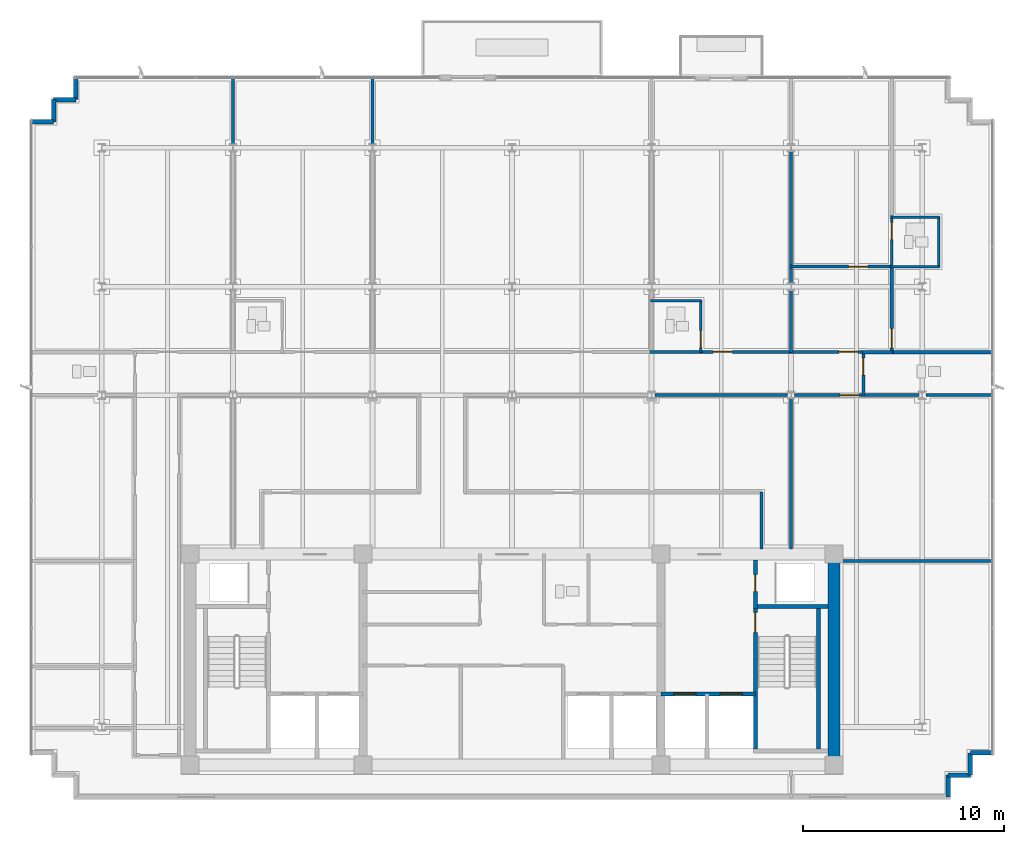
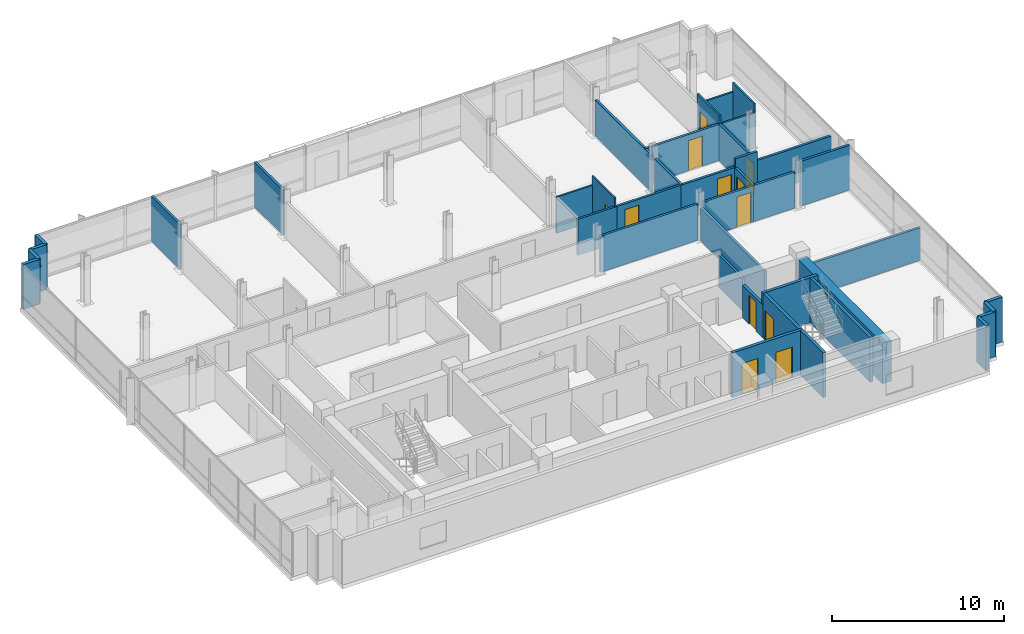
# One storey, part 13 of 19: 39 walls, 12 doors, 12 openings.
"""IFC4 building model written with IfcOpenShell, lengths in metres."""

from ifc_helpers import new_model, si_unit, direction, frame, frame_2d, origin, place, context, subcontext, project, spatial, rectangle, extrude, material, layer, layer_set, type_object, element, fill, save


model = new_model("IFC4")

# Units and contexts
model_context = context("Model", 3, precision=1e-05, world=origin(), true_north=direction((0.0, 1.0)))
body_context = subcontext(model_context, "Body", "Model", "MODEL_VIEW")
ifc_project = project(units=[si_unit("LENGTHUNIT", "METRE"), si_unit("AREAUNIT", "SQUARE_METRE"), si_unit("VOLUMEUNIT", "CUBIC_METRE"), si_unit("PLANEANGLEUNIT", "RADIAN"), si_unit("MASSUNIT", "GRAM", prefix="KILO")], contexts=[model_context])

# Site, building, storey
site_placement = place(None, origin())
site = spatial("IfcSite", under=ifc_project, at=site_placement, CompositionType="ELEMENT")
building_placement = place(site_placement, origin())
building = spatial("IfcBuilding", under=site, at=building_placement, Name="Solmavex Isthmus Hotel", CompositionType="ELEMENT")
storey_placement = place(building_placement, frame((0.0, 0.0, 262.64990234375)))
storey = spatial("IfcBuildingStorey", under=building, at=storey_placement, Name="L71", CompositionType="ELEMENT", Elevation=262.64990234375)

# Walls
ifc_material_1 = material(Name="Precast Concrete C40/50", Category="concrete")
ifc_layer_1 = layer(ifc_material_1, 0.25)
ifc_layer_set_1 = layer_set([ifc_layer_1], Name="Precast Concrete C40/50")
wall_type_1 = type_object("IfcWallType", Name="EW-TWR-250", PredefinedType="STANDARD", material=ifc_layer_set_1)
wall_1_placement = place(storey_placement, frame((-23.889892578125, 18.989990234375, 0.0), z_axis=(0.0, 0.0, 1.0), x_axis=(1.0, 0.0, 0.0)))
element("IfcWall", 1, at=wall_1_placement, inside=storey, type_object=wall_type_1, Name="Serrated Corner Facade Panel L71-06", PredefinedType="STANDARD", context=body_context, shape_type="SweptSolid", body=[
    extrude(rectangle(XDim=1.099853515625, YDim=0.219970703125, at=frame_2d((0.5498046875, 0.0))), origin(), (0.0, 0.0, 1.0), 3.190185546875),
])
for number, where, z_axis, x_axis, name in (
    (2, (-22.7900390625, 18.989990234375, 0.0), (0.0, 0.0, 1.0), (0.0, 1.0, 0.0), "Serrated Corner Facade Panel L71-07"),
    (3, (-22.7900390625, 20.090087890625, 0.0), (0.0, 0.0, 1.0), (1.0, 0.0, 0.0), "Serrated Corner Facade Panel L71-08"),
):
    element("IfcWall", number, at=place(storey_placement, frame(where, z_axis=z_axis, x_axis=x_axis)), inside=storey, type_object=wall_type_1, Name=name, PredefinedType="STANDARD", context=body_context, shape_type="SweptSolid", body=[
        extrude(rectangle(XDim=1.10009765625, YDim=0.219970703125, at=frame_2d((0.550048828125, 0.0))), origin(), (0.0, 0.0, 1.0), 3.190185546875),
    ])
for number, where, z_axis, x_axis, name in (
    (4, (-21.68994140625, 20.090087890625, 0.0), (0.0, 0.0, 1.0), (0.0, 1.0, 0.0), "Serrated Corner Facade Panel L71-09"),
    (5, (23.889892578125, -12.389892578125, 0.0), (0.0, 0.0, 1.0), (-1.0, 0.0, 0.0), "Serrated Corner Facade Panel L71-16"),
):
    element("IfcWall", number, at=place(storey_placement, frame(where, z_axis=z_axis, x_axis=x_axis)), inside=storey, type_object=wall_type_1, Name=name, PredefinedType="STANDARD", context=body_context, shape_type="SweptSolid", body=[
        extrude(rectangle(XDim=1.099853515625, YDim=0.219970703125, at=frame_2d((0.5498046875, 0.0))), origin(), (0.0, 0.0, 1.0), 3.190185546875),
    ])
for number, where, z_axis, x_axis, name in (
    (6, (22.7900390625, -12.389892578125, 0.0), (0.0, 0.0, 1.0), (0.0, -1.0, 0.0), "Serrated Corner Facade Panel L71-17"),
    (7, (22.7900390625, -13.489990234375, 0.0), (0.0, 0.0, 1.0), (-1.0, 0.0, 0.0), "Serrated Corner Facade Panel L71-18"),
    (8, (21.68994140625, -13.489990234375, 0.0), (0.0, 0.0, 1.0), (0.0, -1.0, 0.0), "Serrated Corner Facade Panel L71-19"),
):
    element("IfcWall", number, at=place(storey_placement, frame(where, z_axis=z_axis, x_axis=x_axis)), inside=storey, type_object=wall_type_1, Name=name, PredefinedType="STANDARD", context=body_context, shape_type="SweptSolid", body=[
        extrude(rectangle(XDim=1.10009765625, YDim=0.219970703125, at=frame_2d((0.550048828125, 0.0))), origin(), (0.0, 0.0, 1.0), 3.190185546875),
    ])
ifc_material_2 = material(Name="Gypsum plasterboard lining", Category="gypsum")
ifc_layer_2 = layer(ifc_material_2, 0.159912109375)
ifc_layer_set_2 = layer_set([ifc_layer_2], Name="Gypsum plasterboard lining")
wall_type_2 = type_object("IfcWallType", Name="IW-COMP-160", PredefinedType="PARTITIONING", material=ifc_layer_set_2)
for number, where, z_axis, x_axis, name in (
    (9, (-13.8720703125, 21.219970703125, 0.0), (0.0, 0.0, 1.0), (0.0, -1.0, 0.0), "Interior Partition Wall W-L71-P035"),
    (10, (-6.93603515625, 21.219970703125, 0.0), (0.0, 0.0, 1.0), (0.0, -1.0, 0.0), "Interior Partition Wall W-L71-P041"),
):
    element("IfcWall", number, at=place(storey_placement, frame(where, z_axis=z_axis, x_axis=x_axis)), inside=storey, type_object=wall_type_2, Name=name, PredefinedType="PARTITIONING", context=body_context, shape_type="SweptSolid", body=[
        extrude(rectangle(XDim=3.344970703125, YDim=0.159912109375, at=frame_2d((1.67236328125, 0.0))), origin(), (0.0, 0.0, 1.0), 3.190185546875),
    ])
wall_2_placement = place(storey_placement, frame((13.8720703125, 10.613037109375, 0.0), z_axis=(0.0, 0.0, 1.0), x_axis=(0.0, -1.0, 0.0)))
element("IfcWall", 11, at=wall_2_placement, inside=storey, type_object=wall_type_2, Name="Interior Partition Wall W-L71-P047", PredefinedType="PARTITIONING", context=body_context, shape_type="SweptSolid", body=[
    extrude(rectangle(XDim=3.10302734375, YDim=0.159912109375, at=frame_2d((1.551513671875, 0.0))), origin(), (0.0, 0.0, 1.0), 2.572509765625),
])
wall_3_placement = place(storey_placement, frame((13.8720703125, 17.52490234375, 0.0), z_axis=(0.0, 0.0, 1.0), x_axis=(0.0, -1.0, 0.0)))
element("IfcWall", 12, at=wall_3_placement, inside=storey, type_object=wall_type_2, Name="Interior Partition Wall W-L71-P048", PredefinedType="PARTITIONING", context=body_context, shape_type="SweptSolid", body=[
    extrude(rectangle(XDim=6.56201171875, YDim=0.159912109375, at=frame_2d((3.281005859375, 0.0))), origin(), (0.0, 0.0, 1.0), 2.572509765625),
])

# Wall, opening, door
wall_4_placement = place(storey_placement, frame((13.83203125, 11.7880859375, 0.0), z_axis=(0.0, 0.0, 1.0), x_axis=(1.0, 0.0, 0.0)))
wall_4 = element("IfcWall", 13, at=wall_4_placement, inside=storey, type_object=wall_type_2, Name="Interior Partition Wall W-L71-P050", PredefinedType="PARTITIONING", context=body_context, shape_type="SweptSolid", body=[
    extrude(rectangle(XDim=5.083984375, YDim=0.159912109375, at=frame_2d((2.5419921875, 0.0))), origin(), (0.0, 0.0, 1.0), 2.572509765625),
])
opening_1_placement = place(wall_4_placement, frame((2.90771484375, 0.0, 0.0)))
opening_1 = element("IfcOpeningElement", 14, at=opening_1_placement, cuts=wall_4, Name="Opening ID-C095", PredefinedType="OPENING", context=body_context, shape_type="SweptSolid", body=[
    extrude(rectangle(XDim=0.949951171875, YDim=2.14990234375, at=frame_2d((0.47509765625, 1.074951171875))), frame((0.0, 0.08984375, 0.0), z_axis=(0.0, -1.0, 0.0), x_axis=(1.0, 0.0, 0.0)), (0.0, 0.0, 1.0), 0.179931640625),
])
ifc_material_3 = material(Name="Hardwood timber", Category="wood")
door_type_1 = type_object("IfcDoorType", Name="IDR-FD60-0950", OperationType="NOTDEFINED", PredefinedType="DOOR", material=ifc_material_3)
door_1_placement = place(opening_1_placement, origin())
door_1 = element("IfcDoor", 15, at=door_1_placement, inside=storey, type_object=door_type_1, Name="Premier Hospitality Suite Master Bedroom Door L71-08", OperationType="SINGLE_SWING_RIGHT", OverallHeight=2.14990234375, OverallWidth=0.949951171875, PredefinedType="DOOR", context=body_context, shape_type="SweptSolid", body=[
    extrude(rectangle(XDim=0.949951171875, YDim=2.14990234375, at=frame_2d((0.47509765625, 1.074951171875))), frame((0.0, 0.02490234375, 0.0), z_axis=(0.0, -1.0, 0.0), x_axis=(1.0, 0.0, 0.0)), (0.0, 0.0, 1.0), 0.050048828125),
])
fill(opening_1, door_1)

wall_5_placement = place(storey_placement, frame((18.8759765625, 11.827880859375, 0.0), z_axis=(0.0, 0.0, 1.0), x_axis=(0.0, -1.0, 0.0)))
wall_5 = element("IfcWall", 16, at=wall_5_placement, inside=storey, type_object=wall_type_2, Name="Interior Partition Wall W-L71-P051", PredefinedType="PARTITIONING", context=body_context, shape_type="SweptSolid", body=[
    extrude(rectangle(XDim=4.337890625, YDim=0.159912109375, at=frame_2d((2.1689453125, 0.0))), origin(), (0.0, 0.0, 1.0), 2.572509765625),
])
opening_2_placement = place(wall_5_placement, frame((3.124755859375, 0.0, 0.0)))
opening_2 = element("IfcOpeningElement", 17, at=opening_2_placement, cuts=wall_5, Name="Opening ID-C095", PredefinedType="OPENING", context=body_context, shape_type="SweptSolid", body=[
    extrude(rectangle(XDim=0.949951171875, YDim=2.14990234375, at=frame_2d((0.47509765625, 1.074951171875))), frame((0.0, 0.08984375, 0.0), z_axis=(0.0, -1.0, 0.0), x_axis=(1.0, 0.0, 0.0)), (0.0, 0.0, 1.0), 0.179931640625),
])
door_2_placement = place(opening_2_placement, frame((0.949951171875, 0.0, 0.0), z_axis=(0.0, 0.0, 1.0), x_axis=(-1.0, 0.0, 0.0)))
door_2 = element("IfcDoor", 18, at=door_2_placement, inside=storey, type_object=door_type_1, Name="Premier Hospitality Suite Living Lounge Door L71-09", OperationType="SINGLE_SWING_LEFT", OverallHeight=2.14990234375, OverallWidth=0.949951171875, PredefinedType="DOOR", context=body_context, shape_type="SweptSolid", body=[
    extrude(rectangle(XDim=0.949951171875, YDim=2.14990234375, at=frame_2d((0.47509765625, 1.074951171875))), frame((0.0, 0.02490234375, 0.0), z_axis=(0.0, -1.0, 0.0), x_axis=(1.0, 0.0, 0.0)), (0.0, 0.0, 1.0), 0.050048828125),
])
fill(opening_2, door_2)

# Walls
wall_6_placement = place(storey_placement, frame((18.916015625, 7.530029296875, 0.0), z_axis=(0.0, 0.0, 1.0), x_axis=(-1.0, 0.0, 0.0)))
element("IfcWall", 19, at=wall_6_placement, inside=storey, type_object=wall_type_2, Name="Interior Partition Wall W-L71-P052", PredefinedType="PARTITIONING", context=body_context, shape_type="SweptSolid", body=[
    extrude(rectangle(XDim=1.484130859375, YDim=0.159912109375, at=frame_2d((0.7421875, 0.0))), origin(), (0.0, 0.0, 1.0), 3.190185546875),
])
wall_7_placement = place(storey_placement, frame((23.919921875, 7.530029296875, 0.0), z_axis=(0.0, 0.0, 1.0), x_axis=(-1.0, 0.0, 0.0)))
element("IfcWall", 20, at=wall_7_placement, inside=storey, type_object=wall_type_2, Name="Interior Partition Wall W-L71-P058", PredefinedType="PARTITIONING", context=body_context, shape_type="SweptSolid", body=[
    extrude(rectangle(XDim=5.083984375, YDim=0.159912109375, at=frame_2d((2.5419921875, 0.0))), origin(), (0.0, 0.0, 1.0), 2.5576171875),
])
wall_8_placement = place(storey_placement, frame((20.22509765625, 5.39990234375, 0.0), z_axis=(0.0, 0.0, 1.0), x_axis=(-1.0, 0.0, 0.0)))
element("IfcWall", 21, at=wall_8_placement, inside=storey, type_object=wall_type_2, Name="Interior Partition Wall W-L71-P061", PredefinedType="PARTITIONING", context=body_context, shape_type="SweptSolid", body=[
    extrude(rectangle(XDim=2.793212890625, YDim=0.159912109375, at=frame_2d((1.396484375, 0.0))), origin(), (0.0, 0.0, 1.0), 2.572509765625),
])
wall_9_placement = place(storey_placement, frame((23.919921875, 5.39990234375, 0.0), z_axis=(0.0, 0.0, 1.0), x_axis=(-1.0, 0.0, 0.0)))
element("IfcWall", 22, at=wall_9_placement, inside=storey, type_object=wall_type_2, Name="Interior Partition Wall W-L71-P062", PredefinedType="PARTITIONING", context=body_context, shape_type="SweptSolid", body=[
    extrude(rectangle(XDim=3.344970703125, YDim=0.159912109375, at=frame_2d((1.67236328125, 0.0))), origin(), (0.0, 0.0, 1.0), 3.190185546875),
])
wall_10_placement = place(storey_placement, frame((13.8720703125, -2.239990234375, 0.0), z_axis=(0.0, 0.0, 1.0), x_axis=(0.0, 1.0, 0.0)))
element("IfcWall", 23, at=wall_10_placement, inside=storey, type_object=wall_type_2, Name="Interior Partition Wall W-L71-P069", PredefinedType="PARTITIONING", context=body_context, shape_type="SweptSolid", body=[
    extrude(rectangle(XDim=7.465087890625, YDim=0.159912109375, at=frame_2d((3.732421875, 0.0))), origin(), (0.0, 0.0, 1.0), 2.3251953125),
])
wall_11_placement = place(storey_placement, frame((23.919921875, -2.85009765625, 0.0), z_axis=(0.0, 0.0, 1.0), x_axis=(-1.0, 0.0, 0.0)))
element("IfcWall", 24, at=wall_11_placement, inside=storey, type_object=wall_type_2, Name="Interior Partition Wall W-L71-P070", PredefinedType="PARTITIONING", context=body_context, shape_type="SweptSolid", body=[
    extrude(rectangle(XDim=7.659912109375, YDim=0.159912109375, at=frame_2d((3.830078125, 0.0))), origin(), (0.0, 0.0, 1.0), 2.3251953125),
])

# Wall, opening, door
ifc_layer_3 = layer(ifc_material_2, 0.14990234375)
ifc_layer_set_3 = layer_set([ifc_layer_3], Name="Gypsum plasterboard lining")
wall_type_3 = type_object("IfcWallType", Name="IW-CORR-150", PredefinedType="PARTITIONING", material=ifc_layer_set_3)
wall_12_placement = place(storey_placement, frame((9.303955078125, 7.550048828125, 0.0), z_axis=(0.0, 0.0, 1.0), x_axis=(1.0, 0.0, 0.0)))
wall_12 = element("IfcWall", 25, at=wall_12_placement, inside=storey, type_object=wall_type_3, Name="Interior Partition Wall W-L71-P005", PredefinedType="PARTITIONING", context=body_context, shape_type="SweptSolid", body=[
    extrude(rectangle(XDim=4.650146484375, YDim=0.14990234375, at=frame_2d((2.3251953125, 0.0))), origin(), (0.0, 0.0, 1.0), 2.572509765625),
])
opening_3_placement = place(wall_12_placement, frame((0.698486328125, 0.0, 0.0)))
opening_3 = element("IfcOpeningElement", 26, at=opening_3_placement, cuts=wall_12, Name="Opening ID-C095", PredefinedType="OPENING", context=body_context, shape_type="SweptSolid", body=[
    extrude(rectangle(XDim=0.949951171875, YDim=2.14990234375, at=frame_2d((0.47509765625, 1.074951171875))), frame((0.0, 0.0849609375, 0.0), z_axis=(0.0, -1.0, 0.0), x_axis=(1.0, 0.0, 0.0)), (0.0, 0.0, 1.0), 0.169921875),
])
door_3_placement = place(opening_3_placement, origin())
door_3 = element("IfcDoor", 27, at=door_3_placement, inside=storey, type_object=door_type_1, Name="Diplomatic Suite Door L71-05", OperationType="SINGLE_SWING_LEFT", OverallHeight=2.14990234375, OverallWidth=0.949951171875, PredefinedType="DOOR", context=body_context, shape_type="SweptSolid", body=[
    extrude(rectangle(XDim=0.949951171875, YDim=2.14990234375, at=frame_2d((0.47509765625, 1.074951171875))), frame((0.0, 0.02490234375, 0.0), z_axis=(0.0, -1.0, 0.0), x_axis=(1.0, 0.0, 0.0)), (0.0, 0.0, 1.0), 0.050048828125),
])
fill(opening_3, door_3)

# Wall
wall_13_placement = place(storey_placement, frame((6.85400390625, 7.550048828125, 0.0), z_axis=(0.0, 0.0, 1.0), x_axis=(1.0, 0.0, 0.0)))
element("IfcWall", 28, at=wall_13_placement, inside=storey, type_object=wall_type_3, Name="Interior Partition Wall W-L71-P006", PredefinedType="PARTITIONING", context=body_context, shape_type="SweptSolid", body=[
    extrude(rectangle(XDim=2.614013671875, YDim=0.14990234375, at=frame_2d((1.30712890625, 0.0))), origin(), (0.0, 0.0, 1.0), 2.572509765625),
])

# Wall, opening, door
wall_14_placement = place(storey_placement, frame((13.7900390625, 7.550048828125, 0.0), z_axis=(0.0, 0.0, 1.0), x_axis=(1.0, 0.0, 0.0)))
wall_14 = element("IfcWall", 29, at=wall_14_placement, inside=storey, type_object=wall_type_3, Name="Interior Partition Wall W-L71-P007", PredefinedType="PARTITIONING", context=body_context, shape_type="SweptSolid", body=[
    extrude(rectangle(XDim=3.721923828125, YDim=0.14990234375, at=frame_2d((1.86083984375, 0.0))), origin(), (0.0, 0.0, 1.0), 2.572509765625),
])
opening_4_placement = place(wall_14_placement, frame((2.456787109375, 0.0, 0.0)))
opening_4 = element("IfcOpeningElement", 30, at=opening_4_placement, cuts=wall_14, Name="Opening ID-C095", PredefinedType="OPENING", context=body_context, shape_type="SweptSolid", body=[
    extrude(rectangle(XDim=0.949951171875, YDim=2.14990234375, at=frame_2d((0.47509765625, 1.074951171875))), frame((0.0, 0.0849609375, 0.0), z_axis=(0.0, -1.0, 0.0), x_axis=(1.0, 0.0, 0.0)), (0.0, 0.0, 1.0), 0.169921875),
])
door_4_placement = place(opening_4_placement, origin())
door_4 = element("IfcDoor", 31, at=door_4_placement, inside=storey, type_object=door_type_1, Name="Premier Hospitality Suite Entrance Hall Door L71-07", OperationType="SINGLE_SWING_LEFT", OverallHeight=2.14990234375, OverallWidth=0.949951171875, PredefinedType="DOOR", context=body_context, shape_type="SweptSolid", body=[
    extrude(rectangle(XDim=0.949951171875, YDim=2.14990234375, at=frame_2d((0.47509765625, 1.074951171875))), frame((0.0, 0.02490234375, 0.0), z_axis=(0.0, -1.0, 0.0), x_axis=(1.0, 0.0, 0.0)), (0.0, 0.0, 1.0), 0.050048828125),
])
fill(opening_4, door_4)

wall_15_placement = place(storey_placement, frame((17.471923828125, 7.570068359375, 0.0), z_axis=(0.0, 0.0, 1.0), x_axis=(0.0, -1.0, 0.0)))
wall_15 = element("IfcWall", 32, at=wall_15_placement, inside=storey, type_object=wall_type_3, Name="Interior Partition Wall W-L71-P009", PredefinedType="PARTITIONING", context=body_context, shape_type="SweptSolid", body=[
    extrude(rectangle(XDim=2.2099609375, YDim=0.14990234375, at=frame_2d((1.10498046875, 0.0))), origin(), (0.0, 0.0, 1.0), 2.572509765625),
])
opening_5_placement = place(wall_15_placement, frame((0.322265625, 0.0, 0.0)))
opening_5 = element("IfcOpeningElement", 33, at=opening_5_placement, cuts=wall_15, Name="Opening ID-R085", PredefinedType="OPENING", context=body_context, shape_type="SweptSolid", body=[
    extrude(rectangle(XDim=0.85009765625, YDim=2.050048828125, at=frame_2d((0.425048828125, 1.02490234375))), frame((0.0, 0.0849609375, 0.0), z_axis=(0.0, -1.0, 0.0), x_axis=(1.0, 0.0, 0.0)), (0.0, 0.0, 1.0), 0.169921875),
])
ifc_material_4 = material(Name="Steel ASTM A500 Grade C", Category="steel")
door_type_2 = type_object("IfcDoorType", Name="IDR-FD60-0850", OperationType="NOTDEFINED", PredefinedType="DOOR", material=ifc_material_4)
door_5_placement = place(opening_5_placement, frame((0.85009765625, 0.0, 0.0), z_axis=(0.0, 0.0, 1.0), x_axis=(-1.0, 0.0, 0.0)))
door_5 = element("IfcDoor", 34, at=door_5_placement, inside=storey, type_object=door_type_2, Name="Public Restroom WC Door L71-12", OperationType="SINGLE_SWING_RIGHT", OverallHeight=2.050048828125, OverallWidth=0.85009765625, PredefinedType="DOOR", context=body_context, shape_type="SweptSolid", body=[
    extrude(rectangle(XDim=0.85009765625, YDim=2.050048828125, at=frame_2d((0.425048828125, 1.02490234375))), frame((0.0, 0.02490234375, 0.0), z_axis=(0.0, -1.0, 0.0), x_axis=(1.0, 0.0, 0.0)), (0.0, 0.0, 1.0), 0.050048828125),
])
fill(opening_5, door_5)

wall_16_placement = place(storey_placement, frame((17.511962890625, 5.39990234375, 0.0), z_axis=(0.0, 0.0, 1.0), x_axis=(-1.0, 0.0, 0.0)))
wall_16 = element("IfcWall", 35, at=wall_16_placement, inside=storey, type_object=wall_type_3, Name="Interior Partition Wall W-L71-P024", PredefinedType="PARTITIONING", context=body_context, shape_type="SweptSolid", body=[
    extrude(rectangle(XDim=3.46484375, YDim=0.14990234375, at=frame_2d((1.732421875, 0.0))), origin(), (0.0, 0.0, 1.0), 2.572509765625),
])
opening_6_placement = place(wall_16_placement, frame((0.26220703125, 0.0, 0.0)))
opening_6 = element("IfcOpeningElement", 36, at=opening_6_placement, cuts=wall_16, Name="Opening ID-C095", PredefinedType="OPENING", context=body_context, shape_type="SweptSolid", body=[
    extrude(rectangle(XDim=0.949951171875, YDim=2.14990234375, at=frame_2d((0.47509765625, 1.074951171875))), frame((0.0, 0.0849609375, 0.0), z_axis=(0.0, -1.0, 0.0), x_axis=(1.0, 0.0, 0.0)), (0.0, 0.0, 1.0), 0.169921875),
])
door_6_placement = place(opening_6_placement, origin())
door_6 = element("IfcDoor", 37, at=door_6_placement, inside=storey, type_object=door_type_1, Name="Catering Servery Kitchen Door L71-19", OperationType="SINGLE_SWING_LEFT", OverallHeight=2.14990234375, OverallWidth=0.949951171875, PredefinedType="DOOR", context=body_context, shape_type="SweptSolid", body=[
    extrude(rectangle(XDim=0.949951171875, YDim=2.14990234375, at=frame_2d((0.47509765625, 1.074951171875))), frame((0.0, 0.02490234375, 0.0), z_axis=(0.0, -1.0, 0.0), x_axis=(1.0, 0.0, 0.0)), (0.0, 0.0, 1.0), 0.050048828125),
])
fill(opening_6, door_6)

# Walls
wall_17_placement = place(storey_placement, frame((13.697021484375, 5.39990234375, 0.0), z_axis=(0.0, 0.0, 1.0), x_axis=(-1.0, 0.0, 0.0)))
element("IfcWall", 38, at=wall_17_placement, inside=storey, type_object=wall_type_3, Name="Interior Partition Wall W-L71-P025", PredefinedType="PARTITIONING", context=body_context, shape_type="SweptSolid", body=[
    extrude(rectangle(XDim=6.5859375, YDim=0.14990234375, at=frame_2d((3.29296875, 0.0))), origin(), (0.0, 0.0, 1.0), 2.572509765625),
])
wall_18_placement = place(storey_placement, frame((12.39990234375, 0.590087890625, 0.0), z_axis=(0.0, 0.0, 1.0), x_axis=(0.0, -1.0, 0.0)))
element("IfcWall", 39, at=wall_18_placement, inside=storey, type_object=wall_type_3, Name="Interior Partition Wall W-L71-P032", PredefinedType="PARTITIONING", context=body_context, shape_type="SweptSolid", body=[
    extrude(rectangle(XDim=2.830078125, YDim=0.14990234375, at=frame_2d((1.4150390625, 0.0))), origin(), (0.0, 0.0, 1.0), 2.3251953125),
])

# Wall, opening, door
ifc_layer_4 = layer(ifc_material_2, 0.1201171875)
ifc_layer_set_4 = layer_set([ifc_layer_4], Name="Gypsum plasterboard lining")
wall_type_4 = type_object("IfcWallType", Name="IW-PART-120", PredefinedType="PARTITIONING", material=ifc_layer_set_4)
wall_19_placement = place(storey_placement, frame((9.385986328125, 7.510009765625, 0.0), z_axis=(0.0, 0.0, 1.0), x_axis=(0.0, 1.0, 0.0)))
wall_19 = element("IfcWall", 40, at=wall_19_placement, inside=storey, type_object=wall_type_4, Name="Interior Partition Wall W-L71-P045", PredefinedType="PARTITIONING", context=body_context, shape_type="SweptSolid", body=[
    extrude(rectangle(XDim=2.6298828125, YDim=0.1201171875, at=frame_2d((1.31494140625, 0.0))), origin(), (0.0, 0.0, 1.0), 3.190185546875),
])
opening_7_placement = place(wall_19_placement, frame((0.247314453125, 0.0, 0.0)))
opening_7 = element("IfcOpeningElement", 41, at=opening_7_placement, cuts=wall_19, Name="Opening ID-U085", PredefinedType="OPENING", context=body_context, shape_type="SweptSolid", body=[
    extrude(rectangle(XDim=0.85009765625, YDim=2.10009765625, at=frame_2d((0.425048828125, 1.050048828125))), frame((0.0, 0.070068359375, 0.0), z_axis=(0.0, -1.0, 0.0), x_axis=(1.0, 0.0, 0.0)), (0.0, 0.0, 1.0), 0.14013671875),
])
door_type_3 = type_object("IfcDoorType", Name="IDR-UNR-0850", OperationType="NOTDEFINED", PredefinedType="DOOR", material=ifc_material_3)
door_7_placement = place(opening_7_placement, frame((0.85009765625, 0.0, 0.0), z_axis=(0.0, 0.0, 1.0), x_axis=(-1.0, 0.0, 0.0)))
door_7 = element("IfcDoor", 42, at=door_7_placement, inside=storey, type_object=door_type_3, Name="En-suite Bathroom Door L71-06", OperationType="SINGLE_SWING_RIGHT", OverallHeight=2.10009765625, OverallWidth=0.85009765625, PredefinedType="DOOR", context=body_context, shape_type="SweptSolid", body=[
    extrude(rectangle(XDim=0.85009765625, YDim=2.10009765625, at=frame_2d((0.425048828125, 1.050048828125))), frame((0.0, 0.02490234375, 0.0), z_axis=(0.0, -1.0, 0.0), x_axis=(1.0, 0.0, 0.0)), (0.0, 0.0, 1.0), 0.050048828125),
])
fill(opening_7, door_7)

# Wall
wall_20_placement = place(storey_placement, frame((9.426025390625, 10.10009765625, 0.0), z_axis=(0.0, 0.0, 1.0), x_axis=(-1.0, 0.0, 0.0)))
element("IfcWall", 43, at=wall_20_placement, inside=storey, type_object=wall_type_4, Name="Interior Partition Wall W-L71-P046", PredefinedType="PARTITIONING", context=body_context, shape_type="SweptSolid", body=[
    extrude(rectangle(XDim=2.530029296875, YDim=0.1201171875, at=frame_2d((1.26513671875, 0.0))), origin(), (0.0, 0.0, 1.0), 2.572509765625),
])

# Wall, opening, door
wall_21_placement = place(storey_placement, frame((18.8759765625, 14.320068359375, 0.0), z_axis=(0.0, 0.0, 1.0), x_axis=(0.0, -1.0, 0.0)))
wall_21 = element("IfcWall", 44, at=wall_21_placement, inside=storey, type_object=wall_type_4, Name="Interior Partition Wall W-L71-P054", PredefinedType="PARTITIONING", context=body_context, shape_type="SweptSolid", body=[
    extrude(rectangle(XDim=2.572021484375, YDim=0.1201171875, at=frame_2d((1.2861328125, 0.0))), origin(), (0.0, 0.0, 1.0), 3.190185546875),
])
opening_8_placement = place(wall_21_placement, frame((0.337646484375, 0.0, 0.0)))
opening_8 = element("IfcOpeningElement", 45, at=opening_8_placement, cuts=wall_21, Name="Opening ID-U085", PredefinedType="OPENING", context=body_context, shape_type="SweptSolid", body=[
    extrude(rectangle(XDim=0.85009765625, YDim=2.10009765625, at=frame_2d((0.425048828125, 1.050048828125))), frame((0.0, 0.070068359375, 0.0), z_axis=(0.0, -1.0, 0.0), x_axis=(1.0, 0.0, 0.0)), (0.0, 0.0, 1.0), 0.14013671875),
])
door_8_placement = place(opening_8_placement, frame((0.85009765625, 0.0, 0.0), z_axis=(0.0, 0.0, 1.0), x_axis=(-1.0, 0.0, 0.0)))
door_8 = element("IfcDoor", 46, at=door_8_placement, inside=storey, type_object=door_type_3, Name="En-suite Bathroom Door L71-10", OperationType="SINGLE_SWING_RIGHT", OverallHeight=2.10009765625, OverallWidth=0.85009765625, PredefinedType="DOOR", context=body_context, shape_type="SweptSolid", body=[
    extrude(rectangle(XDim=0.85009765625, YDim=2.10009765625, at=frame_2d((0.425048828125, 1.050048828125))), frame((0.0, 0.02490234375, 0.0), z_axis=(0.0, -1.0, 0.0), x_axis=(1.0, 0.0, 0.0)), (0.0, 0.0, 1.0), 0.050048828125),
])
fill(opening_8, door_8)

# Walls
wall_22_placement = place(storey_placement, frame((18.8359375, 11.7880859375, 0.0), z_axis=(0.0, 0.0, 1.0), x_axis=(1.0, 0.0, 0.0)))
element("IfcWall", 47, at=wall_22_placement, inside=storey, type_object=wall_type_4, Name="Interior Partition Wall W-L71-P055", PredefinedType="PARTITIONING", context=body_context, shape_type="SweptSolid", body=[
    extrude(rectangle(XDim=2.43017578125, YDim=0.1201171875, at=frame_2d((1.215087890625, 0.0))), origin(), (0.0, 0.0, 1.0), 2.5576171875),
])
wall_23_placement = place(storey_placement, frame((21.22607421875, 11.748046875, 0.0), z_axis=(0.0, 0.0, 1.0), x_axis=(0.0, 1.0, 0.0)))
element("IfcWall", 48, at=wall_23_placement, inside=storey, type_object=wall_type_4, Name="Interior Partition Wall W-L71-P056", PredefinedType="PARTITIONING", context=body_context, shape_type="SweptSolid", body=[
    extrude(rectangle(XDim=2.530029296875, YDim=0.1201171875, at=frame_2d((1.26513671875, 0.0))), origin(), (0.0, 0.0, 1.0), 3.190185546875),
])
wall_24_placement = place(storey_placement, frame((21.26611328125, 14.238037109375, 0.0), z_axis=(0.0, 0.0, 1.0), x_axis=(-1.0, 0.0, 0.0)))
element("IfcWall", 49, at=wall_24_placement, inside=storey, type_object=wall_type_4, Name="Interior Partition Wall W-L71-P057", PredefinedType="PARTITIONING", context=body_context, shape_type="SweptSolid", body=[
    extrude(rectangle(XDim=2.43017578125, YDim=0.1201171875, at=frame_2d((1.215087890625, 0.0))), origin(), (0.0, 0.0, 1.0), 2.5576171875),
])

# Wall, opening, door
ifc_material_5 = material(Name="Concrete C40/50", Category="concrete")
ifc_layer_5 = layer(ifc_material_5, 0.199951171875)
ifc_layer_set_5 = layer_set([ifc_layer_5], Name="Concrete C40/50")
wall_type_5 = type_object("IfcWallType", Name="IW-SHAFT-200", PredefinedType="PARTITIONING", material=ifc_layer_set_5)
wall_25_placement = place(storey_placement, frame((12.10009765625, -5.199951171875, 0.0), z_axis=(0.0, 0.0, 1.0), x_axis=(0.0, 1.0, 0.0)))
wall_25 = element("IfcWall", 50, at=wall_25_placement, inside=storey, type_object=wall_type_5, Name="Interior Partition Wall W-L71-RSE-W", PredefinedType="PARTITIONING", context=body_context, shape_type="SweptSolid", body=[
    extrude(rectangle(XDim=2.39990234375, YDim=0.199951171875, at=frame_2d((1.199951171875, 0.0))), origin(), (0.0, 0.0, 1.0), 2.3251953125),
])
opening_9_placement = place(wall_25_placement, frame((0.824951171875, 0.0, 0.0)))
opening_9 = element("IfcOpeningElement", 51, at=opening_9_placement, cuts=wall_25, Name="Opening ID-R085", PredefinedType="OPENING", context=body_context, shape_type="SweptSolid", body=[
    extrude(rectangle(XDim=0.85009765625, YDim=2.050048828125, at=frame_2d((0.425048828125, 1.02490234375))), frame((0.0, 0.10986328125, 0.0), z_axis=(0.0, -1.0, 0.0), x_axis=(1.0, 0.0, 0.0)), (0.0, 0.0, 1.0), 0.219970703125),
])
door_9_placement = place(opening_9_placement, frame((0.85009765625, 0.0, 0.0), z_axis=(0.0, 0.0, 1.0), x_axis=(-1.0, 0.0, 0.0)))
door_9 = element("IfcDoor", 52, at=door_9_placement, inside=storey, type_object=door_type_2, Name="Mechanical Riser Door L71", OperationType="SINGLE_SWING_LEFT", OverallHeight=2.050048828125, OverallWidth=0.85009765625, PredefinedType="DOOR", context=body_context, shape_type="SweptSolid", body=[
    extrude(rectangle(XDim=0.85009765625, YDim=2.050048828125, at=frame_2d((0.425048828125, 1.02490234375))), frame((0.0, 0.02490234375, 0.0), z_axis=(0.0, -1.0, 0.0), x_axis=(1.0, 0.0, 0.0)), (0.0, 0.0, 1.0), 0.050048828125),
])
fill(opening_9, door_9)

# Wall, openings, doors
wall_26_placement = place(storey_placement, frame((7.39990234375, -9.449951171875, 0.0), z_axis=(0.0, 0.0, 1.0), x_axis=(1.0, 0.0, 0.0)))
wall_26 = element("IfcWall", 53, at=wall_26_placement, inside=storey, type_object=wall_type_5, Name="Interior Partition Wall W-L71-FFLE-S", PredefinedType="PARTITIONING", context=body_context, shape_type="SweptSolid", body=[
    extrude(rectangle(XDim=4.7001953125, YDim=0.199951171875, at=frame_2d((2.35009765625, 0.0))), origin(), (0.0, 0.0, 1.0), 3.190185546875),
])
opening_10_placement = place(wall_26_placement, frame((2.949951171875, 0.0, 0.0)))
opening_10 = element("IfcOpeningElement", 54, at=opening_10_placement, cuts=wall_26, Name="Opening LD-FF", PredefinedType="OPENING", context=body_context, shape_type="SweptSolid", body=[
    extrude(rectangle(XDim=1.10009765625, YDim=2.199951171875, at=frame_2d((0.550048828125, 1.10009765625))), frame((0.0, 0.10986328125, 0.0), z_axis=(0.0, -1.0, 0.0), x_axis=(1.0, 0.0, 0.0)), (0.0, 0.0, 1.0), 0.219970703125),
])
opening_11_placement = place(wall_26_placement, frame((0.64990234375, 0.0, 0.0)))
opening_11 = element("IfcOpeningElement", 55, at=opening_11_placement, cuts=wall_26, Name="Opening LD-SV", PredefinedType="OPENING", context=body_context, shape_type="SweptSolid", body=[
    extrude(rectangle(XDim=1.10009765625, YDim=2.199951171875, at=frame_2d((0.550048828125, 1.10009765625))), frame((0.0, 0.10986328125, 0.0), z_axis=(0.0, -1.0, 0.0), x_axis=(1.0, 0.0, 0.0)), (0.0, 0.0, 1.0), 0.219970703125),
])
ifc_material_6 = material(Name="Stainless steel 316", Category="steel")
door_type_4 = type_object("IfcDoorType", Name="LDR-FF-1100", OperationType="NOTDEFINED", PredefinedType="DOOR", material=ifc_material_6)
door_10_placement = place(opening_10_placement, origin())
door_10 = element("IfcDoor", 56, at=door_10_placement, inside=storey, type_object=door_type_4, Name="Lift Landing Door FFL-2 L71", OperationType="SLIDING_TO_LEFT", OverallHeight=2.199951171875, OverallWidth=1.10009765625, PredefinedType="DOOR", context=body_context, shape_type="SweptSolid", body=[
    extrude(rectangle(XDim=1.10009765625, YDim=2.199951171875, at=frame_2d((0.550048828125, 1.10009765625))), frame((0.0, 0.02490234375, 0.0), z_axis=(0.0, -1.0, 0.0), x_axis=(1.0, 0.0, 0.0)), (0.0, 0.0, 1.0), 0.050048828125),
])
fill(opening_10, door_10)
door_type_5 = type_object("IfcDoorType", Name="LDR-SV-1100", OperationType="NOTDEFINED", PredefinedType="DOOR", material=ifc_material_6)
door_11_placement = place(opening_11_placement, origin())
door_11 = element("IfcDoor", 57, at=door_11_placement, inside=storey, type_object=door_type_5, Name="Lift Landing Door SVL-2 L71", OperationType="SLIDING_TO_RIGHT", OverallHeight=2.199951171875, OverallWidth=1.10009765625, PredefinedType="DOOR", context=body_context, shape_type="SweptSolid", body=[
    extrude(rectangle(XDim=1.10009765625, YDim=2.199951171875, at=frame_2d((0.550048828125, 1.10009765625))), frame((0.0, 0.02490234375, 0.0), z_axis=(0.0, -1.0, 0.0), x_axis=(1.0, 0.0, 0.0)), (0.0, 0.0, 1.0), 0.050048828125),
])
fill(opening_11, door_11)

# Walls
ifc_material_7 = material(Name="Concrete C50/60", Category="concrete")
ifc_layer_6 = layer(ifc_material_7, 0.60009765625)
ifc_layer_set_6 = layer_set([ifc_layer_6], Name="Concrete C50/60")
wall_type_6 = type_object("IfcWallType", Name="WALL-CW-600", PredefinedType="SHEAR", material=ifc_layer_set_6)
wall_27_placement = place(storey_placement, frame((16.0, -12.699951171875, 0.0), z_axis=(0.0, 0.0, 1.0), x_axis=(0.0, 1.0, 0.0)))
element("IfcWall", 58, at=wall_27_placement, inside=storey, type_object=wall_type_6, Name="Core Shear Wall East L71", PredefinedType="SHEAR", context=body_context, shape_type="SweptSolid", body=[
    extrude(rectangle(XDim=9.89990234375, YDim=0.60009765625, at=frame_2d((4.949951171875, 0.0))), origin(), (0.0, 0.0, 1.0), 2.91015625),
])
ifc_layer_7 = layer(ifc_material_5, 0.199951171875)
ifc_layer_set_7 = layer_set([ifc_layer_7], Name="Concrete C40/50")
wall_type_7 = type_object("IfcWallType", Name="WALL-SW-200", PredefinedType="SOLIDWALL", material=ifc_layer_set_7)
wall_28_placement = place(storey_placement, frame((12.0, -5.10009765625, 0.0), z_axis=(0.0, 0.0, 1.0), x_axis=(1.0, 0.0, 0.0)))
element("IfcWall", 59, at=wall_28_placement, inside=storey, type_object=wall_type_7, Name="Stairwell Structural Wall SW-L71-ST2-N", PredefinedType="SOLIDWALL", context=body_context, shape_type="SweptSolid", body=[
    extrude(rectangle(XDim=3.699951171875, YDim=0.199951171875, at=frame_2d((1.85009765625, 0.0))), origin(), (0.0, 0.0, 1.0), 3.190185546875),
])

# Wall, opening, door
wall_29_placement = place(storey_placement, frame((12.10009765625, -12.199951171875, 0.0), z_axis=(0.0, 0.0, 1.0), x_axis=(0.0, 1.0, 0.0)))
wall_29 = element("IfcWall", 60, at=wall_29_placement, inside=storey, type_object=wall_type_7, Name="Stairwell Structural Wall SW-L71-ST2-W", PredefinedType="SOLIDWALL", context=body_context, shape_type="SweptSolid", body=[
    extrude(rectangle(XDim=7.0, YDim=0.199951171875, at=frame_2d((3.5, 0.0))), origin(), (0.0, 0.0, 1.0), 3.190185546875),
])
opening_12_placement = place(wall_29_placement, frame((5.800048828125, 0.0, 0.0)))
opening_12 = element("IfcOpeningElement", 61, at=opening_12_placement, cuts=wall_29, Name="Opening ID-F100", PredefinedType="OPENING", context=body_context, shape_type="SweptSolid", body=[
    extrude(rectangle(XDim=1.0, YDim=2.10009765625, at=frame_2d((0.5, 1.050048828125))), frame((0.0, 0.10986328125, 0.0), z_axis=(0.0, -1.0, 0.0), x_axis=(1.0, 0.0, 0.0)), (0.0, 0.0, 1.0), 0.219970703125),
])
door_type_6 = type_object("IfcDoorType", Name="IDR-FD90-1000", OperationType="NOTDEFINED", PredefinedType="DOOR", material=ifc_material_4)
door_12_placement = place(opening_12_placement, origin())
door_12 = element("IfcDoor", 62, at=door_12_placement, inside=storey, type_object=door_type_6, Name="Stair ST-2 Fire Door L71", OperationType="SINGLE_SWING_RIGHT", OverallHeight=2.10009765625, OverallWidth=1.0, PredefinedType="DOOR", context=body_context, shape_type="SweptSolid", body=[
    extrude(rectangle(XDim=1.0, YDim=2.10009765625, at=frame_2d((0.5, 1.050048828125))), frame((0.0, 0.02490234375, 0.0), z_axis=(0.0, -1.0, 0.0), x_axis=(1.0, 0.0, 0.0)), (0.0, 0.0, 1.0), 0.050048828125),
])
fill(opening_12, door_12)

# Wall
wall_30_placement = place(storey_placement, frame((15.25, -12.199951171875, 0.0), z_axis=(0.0, 0.0, 1.0), x_axis=(0.0, 1.0, 0.0)))
element("IfcWall", 63, at=wall_30_placement, inside=storey, type_object=wall_type_7, Name="Stairwell Structural Wall SW-L71-ST2-E", PredefinedType="SOLIDWALL", context=body_context, shape_type="SweptSolid", body=[
    extrude(rectangle(XDim=7.0, YDim=0.199951171875, at=frame_2d((3.5, 0.0))), origin(), (0.0, 0.0, 1.0), 3.190185546875),
])

save(model, "model.ifc")
